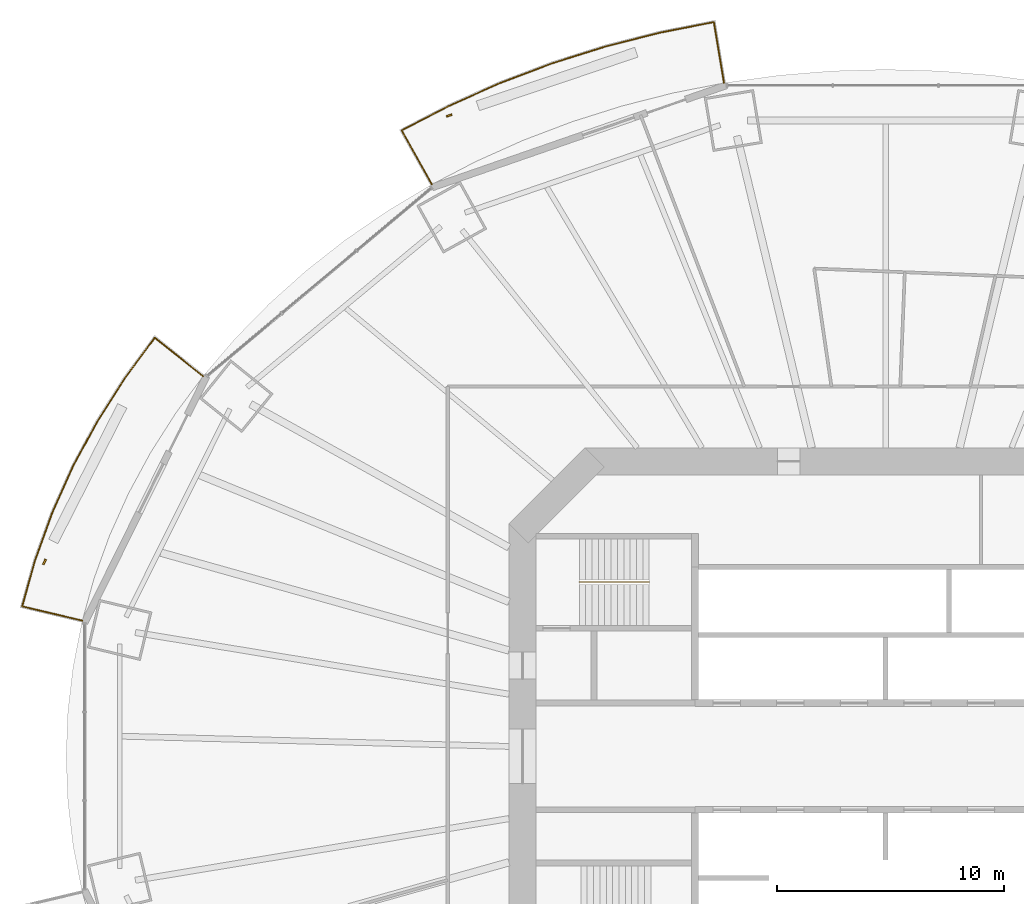
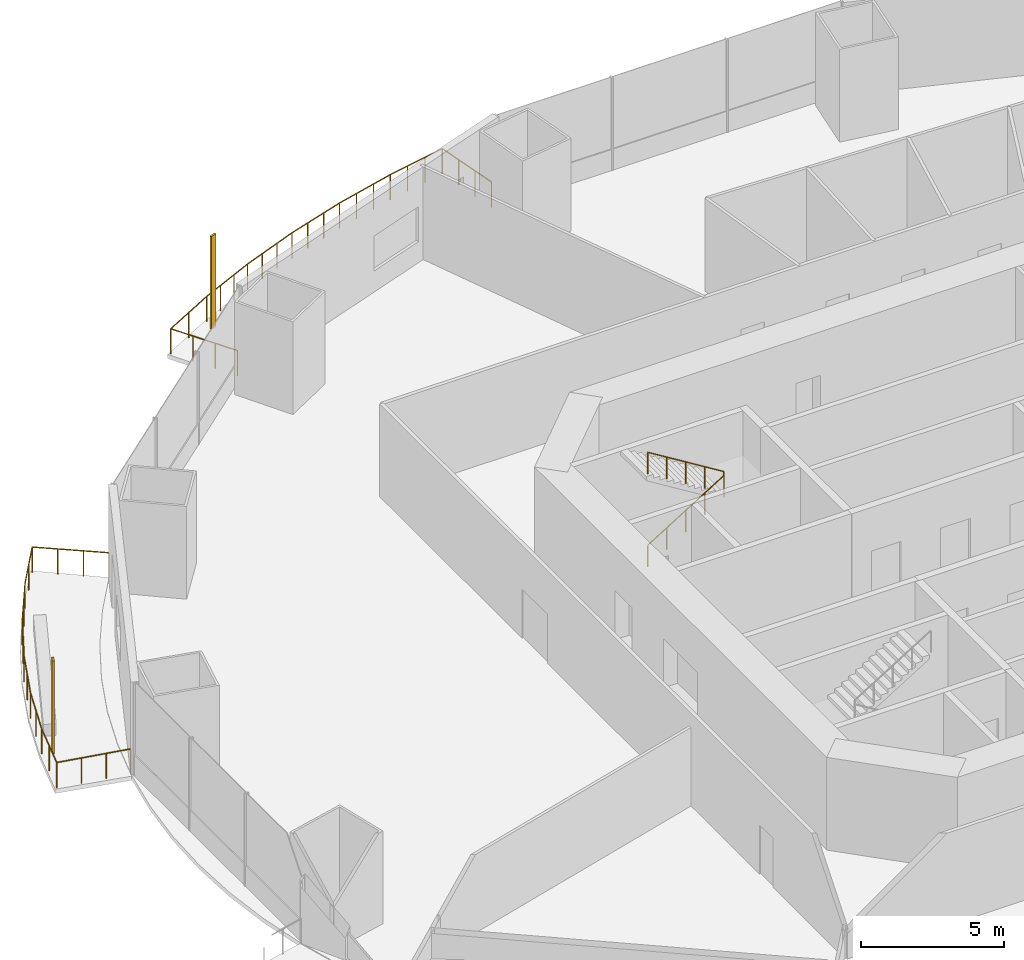
# One storey, part 20 of 23: 3 railings, 2 shading devices.
"""IFC4 building model written with IfcOpenShell, lengths in metres."""

from ifc_helpers import new_model, si_unit, direction, frame, origin, origin_2d, place, context, subcontext, project, spatial, rectangle, circle, extrude, material, material_profile, profile_set, type_object, element, save


model = new_model("IFC4")

# Units and contexts
model_context = context("Model", 3, precision=1e-05, world=origin(), true_north=direction((0.0, 1.0)))
body_context = subcontext(model_context, "Body", "Model", "MODEL_VIEW")
ifc_project = project(units=[si_unit("LENGTHUNIT", "METRE"), si_unit("AREAUNIT", "SQUARE_METRE"), si_unit("VOLUMEUNIT", "CUBIC_METRE"), si_unit("PLANEANGLEUNIT", "RADIAN"), si_unit("MASSUNIT", "GRAM", prefix="KILO")], contexts=[model_context])

# Site, building, storey
site_placement = place(None, origin())
site = spatial("IfcSite", under=ifc_project, at=site_placement, CompositionType="ELEMENT")
building_placement = place(site_placement, origin())
building = spatial("IfcBuilding", under=site, at=building_placement, Name="Marenthal Gate Tower", CompositionType="ELEMENT")
storey_placement = place(building_placement, frame((0.0, 0.0, 66.199951171875)))
storey = spatial("IfcBuildingStorey", under=building, at=storey_placement, Name="L12", CompositionType="ELEMENT", Elevation=66.199951171875)

# Railings
ifc_material_1 = material(Name="Stainless steel", Category="steel")
railing_type_1 = type_object("IfcRailingType", Name="Balcony guard 1100", PredefinedType="GUARDRAIL", material=ifc_material_1)
railing_1_placement = place(storey_placement, frame((-19.99462890625, 25.206787109375, 0.0)))
element("IfcRailing", 1, at=railing_1_placement, inside=storey, type_object=railing_type_1, Name="Balcony guard L12 bay 5", PredefinedType="GUARDRAIL", context=body_context, shape_type="SweptSolid", body=[
    extrude(circle(Radius=0.02392578125, at=origin_2d()), frame((0.0, 0.0, 1.076171875), z_axis=(-0.488848293332, 0.872244641619, -0.014718399138), x_axis=(-0.872339134705, -0.488901251851, 0.0)), (0.0, 0.0, 1.0), 2.720458984375),
    extrude(circle(Radius=0.02392578125, at=origin_2d()), frame((-1.329833984375, 2.372802734375, 1.0361328125), z_axis=(0.887238949587, 0.461310141159, 0.0), x_axis=(-0.461310141159, 0.887238949587, 0.0)), (0.0, 0.0, 1.0), 2.34619140625),
    extrude(circle(Radius=0.02392578125, at=origin_2d()), frame((0.751708984375, 3.455078125, 1.0361328125), z_axis=(0.912604464389, 0.408843602833, 0.0), x_axis=(-0.408843602833, 0.912604464389, 0.0)), (0.0, 0.0, 1.0), 2.443603515625),
    extrude(circle(Radius=0.02392578125, at=origin_2d()), frame((2.981689453125, 4.4541015625, 1.0361328125), z_axis=(0.934856725019, 0.355025215564, 0.0), x_axis=(-0.355025215564, 0.934856725019, 0.0)), (0.0, 0.0, 1.0), 2.459716796875),
    extrude(circle(Radius=0.02392578125, at=origin_2d()), frame((5.28125, 5.327392578125, 1.0361328125), z_axis=(0.953670609563, 0.300852735495, 0.0), x_axis=(-0.300852735495, 0.953670609563, 0.0)), (0.0, 0.0, 1.0), 2.474365234375),
    extrude(circle(Radius=0.02392578125, at=origin_2d()), frame((7.640869140625, 6.07177734375, 1.0361328125), z_axis=(0.969164557422, 0.24641440834, 0.0), x_axis=(-0.24641440834, 0.969164557422, 0.0)), (0.0, 0.0, 1.0), 2.48681640625),
    extrude(circle(Radius=0.02392578125, at=origin_2d()), frame((10.051025390625, 6.6845703125, 1.0361328125), z_axis=(0.981247114518, 0.192753988932, 0.0), x_axis=(-0.192753988932, 0.981247114518, 0.0)), (0.0, 0.0, 1.0), 2.416748046875),
    extrude(circle(Radius=0.02392578125, at=origin_2d()), frame((12.42236328125, 7.150390625, 1.0361328125), z_axis=(0.164599482451, -0.986250661205, 0.014718819587), x_axis=(0.986357511038, 0.164617315064, 0.0)), (0.0, 0.0, 1.0), 2.72021484375),
    extrude(circle(Radius=0.02099609375, at=origin_2d()), origin(), (0.0, 0.0, 1.0), 1.052001953125),
    extrude(circle(Radius=0.02099609375, at=origin_2d()), frame((-0.443359375, 0.791015625, -0.013427734375)), (0.0, 0.0, 1.0), 1.052001953125),
    extrude(circle(Radius=0.02099609375, at=origin_2d()), frame((-0.886474609375, 1.581787109375, -0.026611328125)), (0.0, 0.0, 1.0), 1.052001953125),
    extrude(circle(Radius=0.02099609375, at=origin_2d()), frame((-1.329833984375, 2.372802734375, -0.0400390625)), (0.0, 0.0, 1.0), 1.052001953125),
    extrude(circle(Radius=0.02099609375, at=origin_2d()), frame((-0.2890625, 2.9140625, -0.0400390625)), (0.0, 0.0, 1.0), 1.052001953125),
    extrude(circle(Radius=0.02099609375, at=origin_2d()), frame((0.751708984375, 3.455078125, -0.0400390625)), (0.0, 0.0, 1.0), 1.052001953125),
    extrude(circle(Radius=0.02099609375, at=origin_2d()), frame((1.4951171875, 3.7880859375, -0.0400390625)), (0.0, 0.0, 1.0), 1.052001953125),
    extrude(circle(Radius=0.02099609375, at=origin_2d()), frame((2.23828125, 4.12109375, -0.0400390625)), (0.0, 0.0, 1.0), 1.052001953125),
    extrude(circle(Radius=0.02099609375, at=origin_2d()), frame((2.981689453125, 4.4541015625, -0.0400390625)), (0.0, 0.0, 1.0), 1.052001953125),
    extrude(circle(Radius=0.02099609375, at=origin_2d()), frame((3.748291015625, 4.7451171875, -0.0400390625)), (0.0, 0.0, 1.0), 1.052001953125),
    extrude(circle(Radius=0.02099609375, at=origin_2d()), frame((4.5146484375, 5.036376953125, -0.0400390625)), (0.0, 0.0, 1.0), 1.052001953125),
    extrude(circle(Radius=0.02099609375, at=origin_2d()), frame((5.28125, 5.327392578125, -0.0400390625)), (0.0, 0.0, 1.0), 1.052001953125),
    extrude(circle(Radius=0.02099609375, at=origin_2d()), frame((6.06787109375, 5.575439453125, -0.0400390625)), (0.0, 0.0, 1.0), 1.052001953125),
    extrude(circle(Radius=0.02099609375, at=origin_2d()), frame((6.854248046875, 5.82373046875, -0.0400390625)), (0.0, 0.0, 1.0), 1.052001953125),
    extrude(circle(Radius=0.02099609375, at=origin_2d()), frame((7.640869140625, 6.07177734375, -0.0400390625)), (0.0, 0.0, 1.0), 1.052001953125),
    extrude(circle(Radius=0.02099609375, at=origin_2d()), frame((8.4443359375, 6.276123046875, -0.0400390625)), (0.0, 0.0, 1.0), 1.052001953125),
    extrude(circle(Radius=0.02099609375, at=origin_2d()), frame((9.24755859375, 6.480224609375, -0.0400390625)), (0.0, 0.0, 1.0), 1.052001953125),
    extrude(circle(Radius=0.02099609375, at=origin_2d()), frame((10.051025390625, 6.6845703125, -0.0400390625)), (0.0, 0.0, 1.0), 1.052001953125),
    extrude(circle(Radius=0.02099609375, at=origin_2d()), frame((10.841552734375, 6.83984375, -0.0400390625)), (0.0, 0.0, 1.0), 1.052001953125),
    extrude(circle(Radius=0.02099609375, at=origin_2d()), frame((11.6318359375, 6.9951171875, -0.0400390625)), (0.0, 0.0, 1.0), 1.052001953125),
    extrude(circle(Radius=0.02099609375, at=origin_2d()), frame((12.42236328125, 7.150390625, -0.0400390625)), (0.0, 0.0, 1.0), 1.052001953125),
    extrude(circle(Radius=0.02099609375, at=origin_2d()), frame((12.571533203125, 6.256103515625, -0.026611328125)), (0.0, 0.0, 1.0), 1.052001953125),
    extrude(circle(Radius=0.02099609375, at=origin_2d()), frame((12.720947265625, 5.36181640625, -0.013427734375)), (0.0, 0.0, 1.0), 1.052001953125),
    extrude(circle(Radius=0.02099609375, at=origin_2d()), frame((12.8701171875, 4.467529296875, 0.0)), (0.0, 0.0, 1.0), 1.052001953125),
])
railing_2_placement = place(storey_placement, frame((-35.402587890625, 5.983154296875, 0.0)))
element("IfcRailing", 2, at=railing_2_placement, inside=storey, type_object=railing_type_1, Name="Balcony guard L12 bay 7", PredefinedType="GUARDRAIL", context=body_context, shape_type="SweptSolid", body=[
    extrude(circle(Radius=0.02392578125, at=origin_2d()), frame((0.0, 0.0, 1.076171875), z_axis=(-0.972926666051, 0.23064491576, -0.014718196959), x_axis=(-0.230669901584, -0.973032063451, 0.0)), (0.0, 0.0, 1.0), 2.720458984375),
    extrude(circle(Radius=0.02392578125, at=origin_2d()), frame((-2.646728515625, 0.62744140625, 1.0361328125), z_axis=(0.269464118276, 0.96301043035, 0.0), x_axis=(-0.96301043035, 0.269464118276, 0.0)), (0.0, 0.0, 1.0), 2.130126953125),
    extrude(circle(Radius=0.02392578125, at=origin_2d()), frame((-2.07275390625, 2.6787109375, 1.0361328125), z_axis=(0.340268465621, 0.94032833165, 0.0), x_axis=(-0.94032833165, 0.340268465621, 0.0)), (0.0, 0.0, 1.0), 2.220703125),
    extrude(circle(Radius=0.02392578125, at=origin_2d()), frame((-1.317138671875, 4.766845703125, 1.0361328125), z_axis=(0.40966465878, 0.912236190549, 0.0), x_axis=(-0.912236190549, 0.40966465878, 0.0)), (0.0, 0.0, 1.0), 2.233642578125),
    extrude(circle(Radius=0.02392578125, at=origin_2d()), frame((-0.402099609375, 6.804443359375, 1.0361328125), z_axis=(0.475471623431, 0.879731058513, 0.0), x_axis=(-0.879731058513, 0.475471623431, 0.0)), (0.0, 0.0, 1.0), 2.2490234375),
    extrude(circle(Radius=0.02392578125, at=origin_2d()), frame((0.667236328125, 8.782958984375, 1.0361328125), z_axis=(0.537628198706, 0.843182020655, 0.0), x_axis=(-0.843182020655, 0.537628198706, 0.0)), (0.0, 0.0, 1.0), 2.26611328125),
    extrude(circle(Radius=0.02392578125, at=origin_2d()), frame((1.885498046875, 10.693603515625, 1.0361328125), z_axis=(0.59484873049, 0.803837662613, 0.0), x_axis=(-0.803837662613, 0.59484873049, 0.0)), (0.0, 0.0, 1.0), 2.204345703125),
    extrude(circle(Radius=0.02392578125, at=origin_2d()), frame((3.19677734375, 12.465576171875, 1.0361328125), z_axis=(0.782104673264, -0.6229732083, 0.014719436128), x_axis=(0.623040706516, 0.782189413137, 0.0)), (0.0, 0.0, 1.0), 2.72021484375),
    extrude(circle(Radius=0.02099609375, at=origin_2d()), origin(), (0.0, 0.0, 1.0), 1.052001953125),
    extrude(circle(Radius=0.02099609375, at=origin_2d()), frame((-0.88232421875, 0.209228515625, -0.013427734375)), (0.0, 0.0, 1.0), 1.052001953125),
    extrude(circle(Radius=0.02099609375, at=origin_2d()), frame((-1.764404296875, 0.418212890625, -0.026611328125)), (0.0, 0.0, 1.0), 1.052001953125),
    extrude(circle(Radius=0.02099609375, at=origin_2d()), frame((-2.646728515625, 0.62744140625, -0.0400390625)), (0.0, 0.0, 1.0), 1.052001953125),
    extrude(circle(Radius=0.02099609375, at=origin_2d()), frame((-2.35986328125, 1.653076171875, -0.0400390625)), (0.0, 0.0, 1.0), 1.052001953125),
    extrude(circle(Radius=0.02099609375, at=origin_2d()), frame((-2.07275390625, 2.6787109375, -0.0400390625)), (0.0, 0.0, 1.0), 1.052001953125),
    extrude(circle(Radius=0.02099609375, at=origin_2d()), frame((-1.69482421875, 3.72265625, -0.0400390625)), (0.0, 0.0, 1.0), 1.052001953125),
    extrude(circle(Radius=0.02099609375, at=origin_2d()), frame((-1.317138671875, 4.766845703125, -0.0400390625)), (0.0, 0.0, 1.0), 1.052001953125),
    extrude(circle(Radius=0.02099609375, at=origin_2d()), frame((-0.859619140625, 5.78564453125, -0.0400390625)), (0.0, 0.0, 1.0), 1.052001953125),
    extrude(circle(Radius=0.02099609375, at=origin_2d()), frame((-0.402099609375, 6.804443359375, -0.0400390625)), (0.0, 0.0, 1.0), 1.052001953125),
    extrude(circle(Radius=0.02099609375, at=origin_2d()), frame((0.132568359375, 7.793701171875, -0.0400390625)), (0.0, 0.0, 1.0), 1.052001953125),
    extrude(circle(Radius=0.02099609375, at=origin_2d()), frame((0.667236328125, 8.782958984375, -0.0400390625)), (0.0, 0.0, 1.0), 1.052001953125),
    extrude(circle(Radius=0.02099609375, at=origin_2d()), frame((1.2763671875, 9.73828125, -0.0400390625)), (0.0, 0.0, 1.0), 1.052001953125),
    extrude(circle(Radius=0.02099609375, at=origin_2d()), frame((1.885498046875, 10.693603515625, -0.0400390625)), (0.0, 0.0, 1.0), 1.052001953125),
    extrude(circle(Radius=0.02099609375, at=origin_2d()), frame((2.541015625, 11.57958984375, -0.0400390625)), (0.0, 0.0, 1.0), 1.052001953125),
    extrude(circle(Radius=0.02099609375, at=origin_2d()), frame((3.19677734375, 12.465576171875, -0.0400390625)), (0.0, 0.0, 1.0), 1.052001953125),
    extrude(circle(Radius=0.02099609375, at=origin_2d()), frame((3.906005859375, 11.900634765625, -0.026611328125)), (0.0, 0.0, 1.0), 1.052001953125),
    extrude(circle(Radius=0.02099609375, at=origin_2d()), frame((4.614990234375, 11.3359375, -0.013427734375)), (0.0, 0.0, 1.0), 1.052001953125),
    extrude(circle(Radius=0.02099609375, at=origin_2d()), frame((5.32421875, 10.77099609375, 0.0)), (0.0, 0.0, 1.0), 1.052001953125),
])
ifc_material_2 = material(Name="Stainless steel", Category="steel")
railing_type_2 = type_object("IfcRailingType", Name="Stair handrail", PredefinedType="HANDRAIL", material=ifc_material_2)
railing_3_placement = place(storey_placement, frame((-13.5, 7.675048828125, 0.1728515625)))
element("IfcRailing", 3, at=railing_3_placement, inside=storey, type_object=railing_type_2, Name="Handrail ST1", PredefinedType="HANDRAIL", context=body_context, shape_type="SweptSolid", body=[
    extrude(circle(Radius=0.0224609375, at=origin_2d()), frame((0.0, 0.0, 0.927490234375), z_axis=(0.850835241893, 0.0, 0.525432575268), x_axis=(0.0, 1.0, 0.0)), (0.0, 0.0, 1.0), 3.6201171875),
    extrude(circle(Radius=0.0224609375, at=origin_2d()), frame((3.080078125, 0.0, 2.82958984375), z_axis=(0.0, 0.0, 1.0), x_axis=(1.0, 0.0, 0.0)), (0.0, 0.0, 1.0), 0.173095703125),
    extrude(circle(Radius=0.0224609375, at=origin_2d()), frame((3.080078125, 0.0, 3.002685546875), z_axis=(-0.850835241893, 0.0, 0.525432575268), x_axis=(0.0, -1.0, 0.0)), (0.0, 0.0, 1.0), 3.6201171875),
    extrude(circle(Radius=0.02001953125, at=origin_2d()), origin(), (0.0, 0.0, 1.0), 0.905029296875),
    extrude(circle(Radius=0.02001953125, at=origin_2d()), frame((0.77001953125, 0.0, 0.4755859375)), (0.0, 0.0, 1.0), 0.905029296875),
    extrude(circle(Radius=0.02001953125, at=origin_2d()), frame((1.5400390625, 0.0, 0.951171875)), (0.0, 0.0, 1.0), 0.905029296875),
    extrude(circle(Radius=0.02001953125, at=origin_2d()), frame((2.31005859375, 0.0, 1.426513671875)), (0.0, 0.0, 1.0), 0.905029296875),
    extrude(circle(Radius=0.02001953125, at=origin_2d()), frame((3.080078125, 0.0, 1.902099609375)), (0.0, 0.0, 1.0), 0.905029296875),
    extrude(circle(Radius=0.02001953125, at=origin_2d()), frame((3.080078125, 0.0, 2.0751953125)), (0.0, 0.0, 1.0), 0.905029296875),
    extrude(circle(Radius=0.02001953125, at=origin_2d()), frame((2.31005859375, 0.0, 2.55078125)), (0.0, 0.0, 1.0), 0.905029296875),
    extrude(circle(Radius=0.02001953125, at=origin_2d()), frame((1.5400390625, 0.0, 3.0263671875)), (0.0, 0.0, 1.0), 0.905029296875),
    extrude(circle(Radius=0.02001953125, at=origin_2d()), frame((0.77001953125, 0.0, 3.501708984375)), (0.0, 0.0, 1.0), 0.905029296875),
    extrude(circle(Radius=0.02001953125, at=origin_2d()), frame((0.0, 0.0, 3.977294921875)), (0.0, 0.0, 1.0), 0.905029296875),
])

# Shading devices
ifc_material_3 = material(Name="Terracotta", Category="masonry")
ifc_material_profile = material_profile(ifc_material_3, rectangle(XDim=0.25, YDim=0.080078125, at=origin_2d()), Name="Terracotta baguette 250x80")
ifc_profile_set = profile_set([ifc_material_profile], Name="Terracotta")
shading_device_type = type_object("IfcShadingDeviceType", Name="Terracotta BAGUETTE SCREEN 250x80", PredefinedType="USERDEFINED", material=ifc_profile_set)
for number, where, z_axis, x_axis, name in (
    (4, (-19.23291015625, 28.24072265625, -0.0400390625), (0.0, 0.0, 1.0), (-0.944672154092, -0.32801603815, 0.0), "Terracotta BAGUETTE L12 bay 5R"),
    (5, (-37.06591796875, 8.569580078125, -0.0400390625), (0.0, 0.0, 1.0), (-0.442993196296, -0.896524973459, 0.0), "Terracotta BAGUETTE L12 bay 7R"),
):
    element("IfcShadingDevice", number, at=place(storey_placement, frame(where, z_axis=z_axis, x_axis=x_axis)), inside=storey, type_object=shading_device_type, Name=name, ObjectType="BAGUETTE SCREEN", PredefinedType="USERDEFINED", context=body_context, shape_type="SweptSolid", body=[
        extrude(rectangle(XDim=0.25, YDim=0.080078125, at=origin_2d()), origin(), (0.0, 0.0, 1.0), 3.969970703125),
    ])

save(model, "model.ifc")
